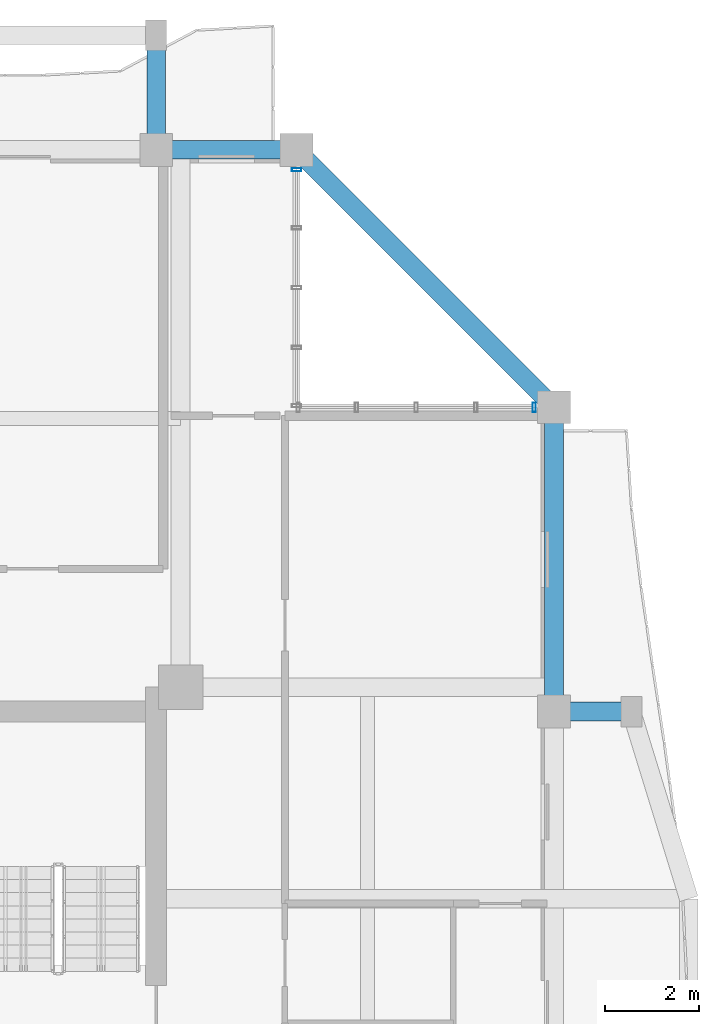
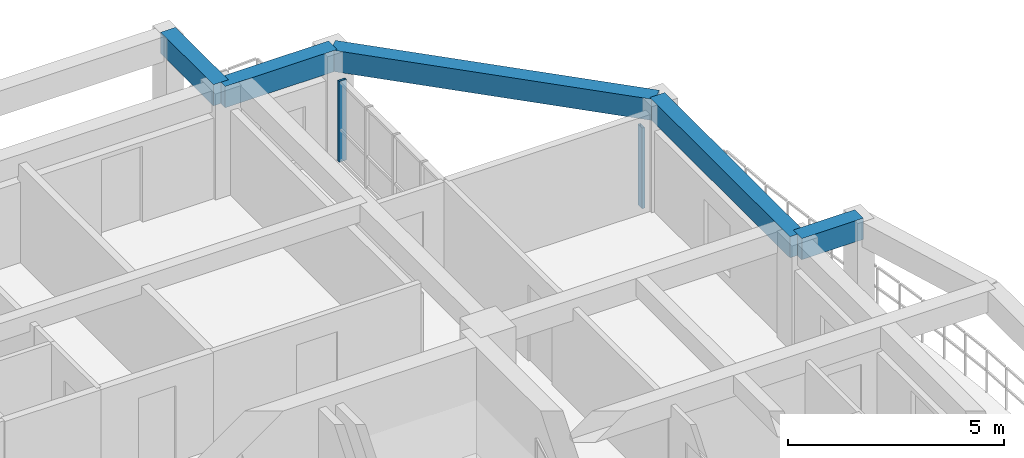
# One storey, part 12 of 24: 5 beams, 2 members, 2 elements without a shape of their own.
"""IFC4 building model written with IfcOpenShell, lengths in metres."""

from ifc_helpers import new_model, si_unit, direction, frame, origin, origin_2d, place, context, subcontext, project, spatial, rectangle, hollow_rectangle, extrude, source, transform, mapped, material, layer, layer_set, material_profile, profile_set, type_object, element, aggregate, save


model = new_model("IFC4")

# Units and contexts
model_context = context("Model", 3, precision=1e-05, world=origin(), true_north=direction((0.0, 1.0)))
body_context = subcontext(model_context, "Body", "Model", "MODEL_VIEW")
ifc_project = project(units=[si_unit("LENGTHUNIT", "METRE"), si_unit("AREAUNIT", "SQUARE_METRE"), si_unit("VOLUMEUNIT", "CUBIC_METRE"), si_unit("PLANEANGLEUNIT", "RADIAN"), si_unit("MASSUNIT", "GRAM", prefix="KILO")], contexts=[model_context])

# Site, building, storey
site_placement = place(None, origin())
site = spatial("IfcSite", under=ifc_project, at=site_placement, CompositionType="ELEMENT")
building_placement = place(site_placement, origin())
building = spatial("IfcBuilding", under=site, at=building_placement, Name="Saelheon Loggia Tower", CompositionType="ELEMENT")
storey_placement = place(building_placement, frame((0.0, 0.0, 246.0)))
storey = spatial("IfcBuildingStorey", under=building, at=storey_placement, Name="L76", CompositionType="ELEMENT", Elevation=246.0)

# Beams
ifc_material_1 = material(Name="Precast Concrete C45/55", Category="concrete")
ifc_material_profile_1 = material_profile(ifc_material_1, rectangle(XDim=0.39990234375, YDim=0.60009765625, at=origin_2d()), Name="RC-400x600")
ifc_profile_set_1 = profile_set([ifc_material_profile_1], Name="Precast Concrete C45/55")
beam_type_1 = type_object("IfcBeamType", Name="Beam_LoggiaTie_RC400x600", PredefinedType="BEAM", material=ifc_profile_set_1)
shared_shape_1 = source(origin(), body_context, "Body", "SweptSolid", [
    extrude(rectangle(XDim=0.39990234375, YDim=0.60009765625, at=origin_2d()), origin(), (0.0, 0.0, 1.0), 2.449951171875),
])
beam_1_placement = place(storey_placement, frame((44.5, 48.0, 2.699951171875), z_axis=(0.0, 1.0, 0.0), x_axis=(-1.0, 0.0, 0.0)))
element("IfcBeam", 1, at=beam_1_placement, inside=storey, type_object=beam_type_1, Name="L76 Loggia Frame Tie Beam LP-N2", PredefinedType="BEAM", context=body_context, shape_type="MappedRepresentation", body=[
    mapped(shared_shape_1, transform((0.0, 0.0, 0.0), scale=1.0)),
])
shared_shape_2 = source(origin(), body_context, "Body", "SweptSolid", [
    extrude(rectangle(XDim=0.39990234375, YDim=0.60009765625, at=origin_2d()), origin(), (0.0, 0.0, 1.0), 1.64990234375),
])
beam_2_placement = place(storey_placement, frame((53.0, 36.0, 2.699951171875), z_axis=(1.0, 0.0, 0.0), x_axis=(0.0, 1.0, 0.0)))
element("IfcBeam", 2, at=beam_2_placement, inside=storey, type_object=beam_type_1, Name="L76 Loggia Frame Tie Beam LP-E2", PredefinedType="BEAM", context=body_context, shape_type="MappedRepresentation", body=[
    mapped(shared_shape_2, transform((0.0, 0.0, 0.0), scale=1.0)),
])
ifc_material_2 = material(Name="Concrete C40/50", Category="concrete")
ifc_material_profile_2 = material_profile(ifc_material_2, rectangle(XDim=0.39990234375, YDim=0.60009765625, at=origin_2d()), Name="RC-400x600")
ifc_profile_set_2 = profile_set([ifc_material_profile_2], Name="Concrete C40/50")
beam_type_2 = type_object("IfcBeamType", Name="Beam_PerimUpper_RC400x600", PredefinedType="BEAM", material=ifc_profile_set_2)
shared_shape_3 = source(origin(), body_context, "Body", "SweptSolid", [
    extrude(rectangle(XDim=0.39990234375, YDim=0.60009765625, at=origin_2d()), origin(), (0.0, 0.0, 1.0), 6.5),
])
beam_3_placement = place(storey_placement, frame((53.0, 36.0, 2.699951171875), z_axis=(0.0, 1.0, 0.0), x_axis=(-1.0, 0.0, 0.0)))
element("IfcBeam", 3, at=beam_3_placement, inside=storey, type_object=beam_type_2, Name="L76 Perimeter Frame Girder 07", PredefinedType="BEAM", context=body_context, shape_type="MappedRepresentation", body=[
    mapped(shared_shape_3, transform((0.0, 0.0, 0.0), scale=1.0)),
])
shared_shape_4 = source(origin(), body_context, "Body", "SweptSolid", [
    extrude(rectangle(XDim=0.39990234375, YDim=0.60009765625, at=origin_2d()), origin(), (0.0, 0.0, 1.0), 7.778076171875),
])
beam_4_placement = place(storey_placement, frame((53.0, 42.5, 2.699951171875), z_axis=(-0.707106781187, 0.707106781187, 0.0), x_axis=(-0.707106781187, -0.707106781187, 0.0)))
element("IfcBeam", 4, at=beam_4_placement, inside=storey, type_object=beam_type_2, Name="L76 Perimeter Frame Girder 08", PredefinedType="BEAM", context=body_context, shape_type="MappedRepresentation", body=[
    mapped(shared_shape_4, transform((0.0, 0.0, 0.0), scale=1.0)),
])
shared_shape_5 = source(origin(), body_context, "Body", "SweptSolid", [
    extrude(rectangle(XDim=0.39990234375, YDim=0.60009765625, at=origin_2d()), origin(), (0.0, 0.0, 1.0), 3.0),
])
beam_5_placement = place(storey_placement, frame((47.5, 48.0, 2.699951171875), z_axis=(-1.0, 0.0, 0.0), x_axis=(0.0, -1.0, 0.0)))
element("IfcBeam", 5, at=beam_5_placement, inside=storey, type_object=beam_type_2, Name="L76 Perimeter Frame Girder 09", PredefinedType="BEAM", context=body_context, shape_type="MappedRepresentation", body=[
    mapped(shared_shape_5, transform((0.0, 0.0, 0.0), scale=1.0)),
])

# Curtain wall, member
ifc_material_3 = material(Name="High-Wind Aluminium and Triple Laminated Glass", Category="aluminium")
ifc_layer = layer(ifc_material_3, 0.179931640625)
ifc_layer_set = layer_set([ifc_layer], Name="High-Wind Aluminium and Triple Laminated Glass")
curtain_wall_type = type_object("IfcCurtainWallType", Name="CW_TowerLoggiaHigh", PredefinedType="NOTDEFINED", material=ifc_layer_set)
curtain_wall_1_placement = place(storey_placement, origin())
curtain_wall_1 = element("IfcCurtainWall", 6, at=curtain_wall_1_placement, inside=storey, type_object=curtain_wall_type, Name="L76 Corner Notch Glazing NE1", PredefinedType="NOTDEFINED")
ifc_material_4 = material(Name="Anodised Aluminium 6063-T6", Category="aluminium")
ifc_material_profile_3 = material_profile(ifc_material_4, hollow_rectangle(XDim=0.070068359375, YDim=0.199951171875, WallThickness=0.0048828125, at=origin_2d()), Name="RHS-200x70x5")
ifc_profile_set_3 = profile_set([ifc_material_profile_3], Name="Anodised Aluminium 6063-T6")
member_type = type_object("IfcMemberType", Name="CW_TowerLoggiaHigh_Mullion", PredefinedType="MULLION", material=ifc_profile_set_3)
shared_shape_6 = source(origin(), body_context, "Body", "SweptSolid", [
    extrude(hollow_rectangle(XDim=0.070068359375, YDim=0.199951171875, WallThickness=0.0048828125, at=origin_2d()), origin(), (0.0, 0.0, 1.0), 2.280029296875),
])
member_1_placement = place(storey_placement, frame((47.5, 47.574951171875, 0.0), z_axis=(0.0, 0.0, 1.0), x_axis=(0.0, 1.0, 0.0)))
member_1 = element("IfcMember", 7, at=member_1_placement, type_object=member_type, Name="CW4 mullion 5", PredefinedType="MULLION", context=body_context, shape_type="MappedRepresentation", body=[
    mapped(shared_shape_6, transform((0.0, 0.0, 0.0), scale=1.0)),
])
aggregate(curtain_wall_1, [member_1])

curtain_wall_2_placement = place(storey_placement, origin())
curtain_wall_2 = element("IfcCurtainWall", 8, at=curtain_wall_2_placement, inside=storey, type_object=curtain_wall_type, Name="L76 Corner Notch Glazing NE2", PredefinedType="NOTDEFINED")
member_2_placement = place(storey_placement, frame((52.574951171875, 42.5, 0.0), z_axis=(0.0, 0.0, 1.0), x_axis=(1.0, 0.0, 0.0)))
member_2 = element("IfcMember", 9, at=member_2_placement, type_object=member_type, Name="CW4 mullion 5", PredefinedType="MULLION", context=body_context, shape_type="MappedRepresentation", body=[
    mapped(shared_shape_6, transform((0.0, 0.0, 0.0), scale=1.0)),
])
aggregate(curtain_wall_2, [member_2])

save(model, "model.ifc")
